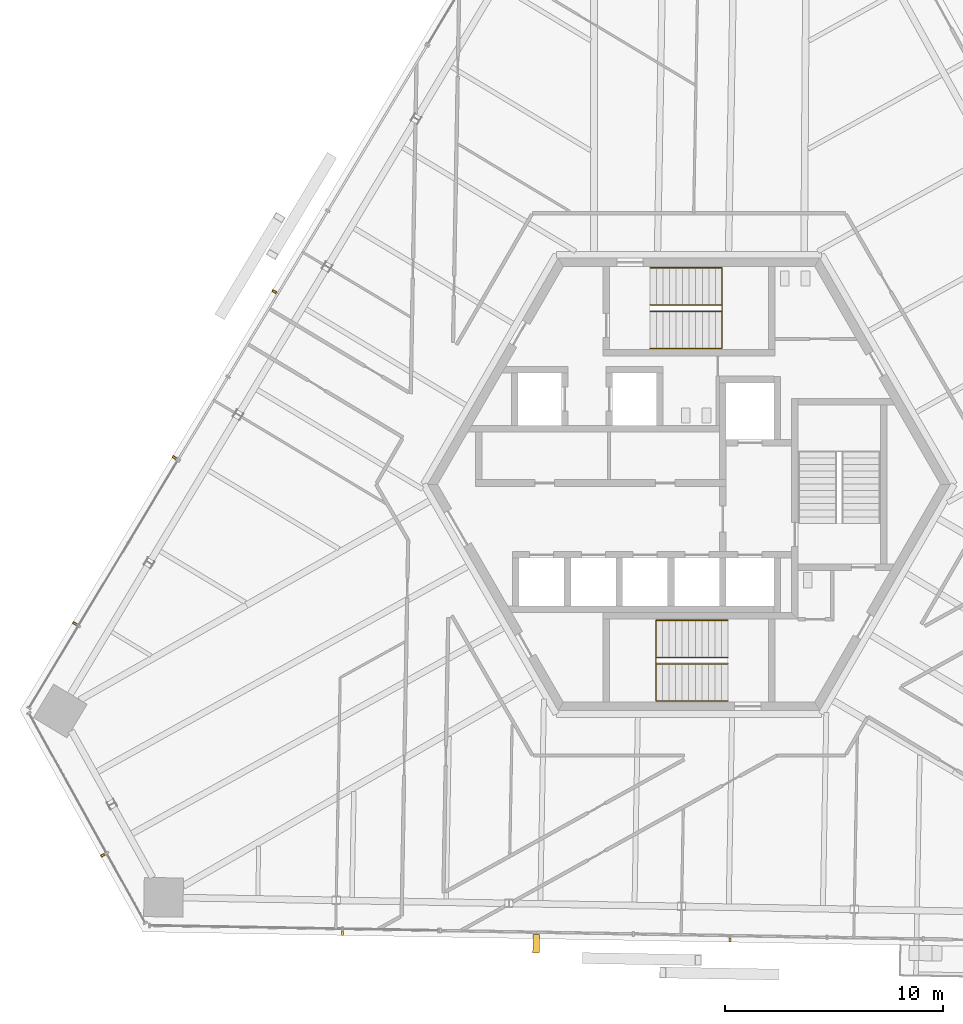
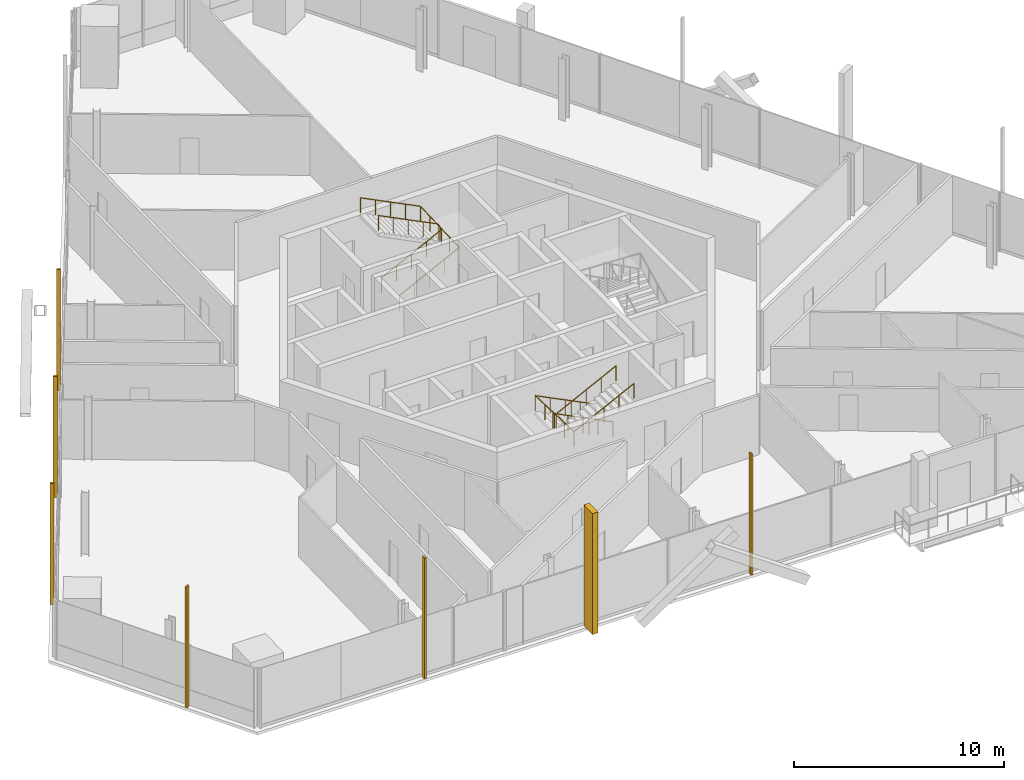
# One storey, part 15 of 20: 7 shading devices, 4 railings.
"""IFC4 building model written with IfcOpenShell, lengths in metres."""

from ifc_helpers import new_model, si_unit, direction, frame, origin, origin_2d, place, context, subcontext, project, spatial, rectangle, circle, extrude, source, transform, mapped, material, type_object, element, save


model = new_model("IFC4")

# Units and contexts
model_context = context("Model", 3, precision=1e-05, world=origin(), true_north=direction((0.0, 1.0)))
body_context = subcontext(model_context, "Body", "Model", "MODEL_VIEW")
ifc_project = project(units=[si_unit("LENGTHUNIT", "METRE"), si_unit("AREAUNIT", "SQUARE_METRE"), si_unit("VOLUMEUNIT", "CUBIC_METRE"), si_unit("PLANEANGLEUNIT", "RADIAN"), si_unit("MASSUNIT", "GRAM", prefix="KILO")], contexts=[model_context])

# Site, building, storey
site_placement = place(None, origin())
site = spatial("IfcSite", under=ifc_project, at=site_placement, CompositionType="ELEMENT")
building_placement = place(site_placement, origin())
building = spatial("IfcBuilding", under=site, at=building_placement, Name="Triune Harvest Tower", CompositionType="ELEMENT")
storey_placement = place(building_placement, frame((0.0, 0.0, 194.300048828125)))
storey = spatial("IfcBuildingStorey", under=building, at=storey_placement, Name="L50", CompositionType="ELEMENT", Elevation=194.300048828125)

# Railings
ifc_material_1 = material(Name="Stainless steel AISI 316", Category="steel")
railing_type = type_object("IfcRailingType", Name="Stair handrail", PredefinedType="HANDRAIL", material=ifc_material_1)
shared_shape_1 = source(origin(), body_context, "Body", "SweptSolid", [
    extrude(circle(Radius=0.02392578125, at=origin_2d()), frame((0.0, 0.0, 0.8759765625), z_axis=(0.894413956696, 0.0, 0.447240063129), x_axis=(0.0, 1.0, 0.0)), (0.0, 0.0, 1.0), 3.689697265625),
    extrude(circle(Radius=0.02392578125, at=origin_2d()), frame((3.300048828125, 0.0, 2.52587890625), z_axis=(0.0, 0.999180289278, 0.040481471304), x_axis=(-1.0, 0.0, 0.0)), (0.0, 0.0, 1.0), 3.702880859375),
    extrude(circle(Radius=0.02392578125, at=origin_2d()), frame((3.300048828125, 3.699951171875, 2.67578125), z_axis=(-0.894440424912, 0.0, 0.447187126696), x_axis=(0.0, -1.0, 0.0)), (0.0, 0.0, 1.0), 3.689453125),
    extrude(circle(Radius=0.02099609375, at=origin_2d()), origin(), (0.0, 0.0, 1.0), 0.851806640625),
    extrude(circle(Radius=0.02099609375, at=origin_2d()), frame((0.824951171875, 0.0, 0.41259765625)), (0.0, 0.0, 1.0), 0.851806640625),
    extrude(circle(Radius=0.02099609375, at=origin_2d()), frame((1.64990234375, 0.0, 0.8251953125)), (0.0, 0.0, 1.0), 0.851806640625),
    extrude(circle(Radius=0.02099609375, at=origin_2d()), frame((2.47509765625, 0.0, 1.237548828125)), (0.0, 0.0, 1.0), 0.851806640625),
    extrude(circle(Radius=0.02099609375, at=origin_2d()), frame((3.300048828125, 0.0, 1.650146484375)), (0.0, 0.0, 1.0), 0.851806640625),
    extrude(circle(Radius=0.02099609375, at=origin_2d()), frame((3.300048828125, 0.925048828125, 1.6875)), (0.0, 0.0, 1.0), 0.851806640625),
    extrude(circle(Radius=0.02099609375, at=origin_2d()), frame((3.300048828125, 1.85009765625, 1.72509765625)), (0.0, 0.0, 1.0), 0.851806640625),
    extrude(circle(Radius=0.02099609375, at=origin_2d()), frame((3.300048828125, 2.77490234375, 1.7626953125)), (0.0, 0.0, 1.0), 0.851806640625),
    extrude(circle(Radius=0.02099609375, at=origin_2d()), frame((3.300048828125, 3.699951171875, 1.800048828125)), (0.0, 0.0, 1.0), 0.851806640625),
    extrude(circle(Radius=0.02099609375, at=origin_2d()), frame((2.47509765625, 3.699951171875, 2.21240234375)), (0.0, 0.0, 1.0), 0.851806640625),
    extrude(circle(Radius=0.02099609375, at=origin_2d()), frame((1.64990234375, 3.699951171875, 2.625)), (0.0, 0.0, 1.0), 0.851806640625),
    extrude(circle(Radius=0.02099609375, at=origin_2d()), frame((0.824951171875, 3.699951171875, 3.03759765625)), (0.0, 0.0, 1.0), 0.851806640625),
    extrude(circle(Radius=0.02099609375, at=origin_2d()), frame((0.0, 3.699951171875, 3.449951171875)), (0.0, 0.0, 1.0), 0.851806640625),
])
railing_1_placement = place(storey_placement, frame((-1.7900390625, 6.239990234375, 0.14990234375)))
element("IfcRailing", 1, at=railing_1_placement, inside=storey, type_object=railing_type, Name="Exit stair north wall handrail", PredefinedType="HANDRAIL", context=body_context, shape_type="MappedRepresentation", body=[
    mapped(shared_shape_1, transform((0.0, 0.0, 0.0), scale=1.0)),
])
shared_shape_2 = source(origin(), body_context, "Body", "SweptSolid", [
    extrude(circle(Radius=0.02392578125, at=origin_2d()), frame((0.0, 0.0, 0.8759765625), z_axis=(0.894413956696, 0.0, 0.447240063129), x_axis=(0.0, 1.0, 0.0)), (0.0, 0.0, 1.0), 3.689697265625),
    extrude(circle(Radius=0.02392578125, at=origin_2d()), frame((3.300048828125, 0.0, 2.52587890625), z_axis=(0.0, 0.894572720946, 0.446922417137), x_axis=(-1.0, 0.0, 0.0)), (0.0, 0.0, 1.0), 0.33544921875),
    extrude(circle(Radius=0.02392578125, at=origin_2d()), frame((3.300048828125, 0.300048828125, 2.67578125), z_axis=(-0.894440424912, 0.0, 0.447187126696), x_axis=(0.0, -1.0, 0.0)), (0.0, 0.0, 1.0), 3.689453125),
    extrude(circle(Radius=0.02099609375, at=origin_2d()), origin(), (0.0, 0.0, 1.0), 0.851806640625),
    extrude(circle(Radius=0.02099609375, at=origin_2d()), frame((0.824951171875, 0.0, 0.41259765625)), (0.0, 0.0, 1.0), 0.851806640625),
    extrude(circle(Radius=0.02099609375, at=origin_2d()), frame((1.64990234375, 0.0, 0.8251953125)), (0.0, 0.0, 1.0), 0.851806640625),
    extrude(circle(Radius=0.02099609375, at=origin_2d()), frame((2.47509765625, 0.0, 1.237548828125)), (0.0, 0.0, 1.0), 0.851806640625),
    extrude(circle(Radius=0.02099609375, at=origin_2d()), frame((3.300048828125, 0.0, 1.650146484375)), (0.0, 0.0, 1.0), 0.851806640625),
    extrude(circle(Radius=0.02099609375, at=origin_2d()), frame((3.300048828125, 0.300048828125, 1.800048828125)), (0.0, 0.0, 1.0), 0.851806640625),
    extrude(circle(Radius=0.02099609375, at=origin_2d()), frame((2.47509765625, 0.300048828125, 2.21240234375)), (0.0, 0.0, 1.0), 0.851806640625),
    extrude(circle(Radius=0.02099609375, at=origin_2d()), frame((1.64990234375, 0.300048828125, 2.625)), (0.0, 0.0, 1.0), 0.851806640625),
    extrude(circle(Radius=0.02099609375, at=origin_2d()), frame((0.824951171875, 0.300048828125, 3.03759765625)), (0.0, 0.0, 1.0), 0.851806640625),
    extrude(circle(Radius=0.02099609375, at=origin_2d()), frame((0.0, 0.300048828125, 3.449951171875)), (0.0, 0.0, 1.0), 0.851806640625),
])
railing_2_placement = place(storey_placement, frame((-1.7900390625, 7.93994140625, 0.14990234375)))
element("IfcRailing", 2, at=railing_2_placement, inside=storey, type_object=railing_type, Name="Exit stair north centre handrail", PredefinedType="HANDRAIL", context=body_context, shape_type="MappedRepresentation", body=[
    mapped(shared_shape_2, transform((0.0, 0.0, 0.0), scale=1.0)),
])
shared_shape_3 = source(origin(), body_context, "Body", "SweptSolid", [
    extrude(circle(Radius=0.02392578125, at=origin_2d()), frame((0.0, 0.0, 0.8759765625), z_axis=(-0.894413956696, 0.0, 0.447240063129), x_axis=(0.0, -1.0, 0.0)), (0.0, 0.0, 1.0), 3.689697265625),
    extrude(circle(Radius=0.02392578125, at=origin_2d()), frame((-3.300048828125, 0.0, 2.52587890625), z_axis=(0.0, -0.999180289278, 0.040481471304), x_axis=(1.0, 0.0, 0.0)), (0.0, 0.0, 1.0), 3.702880859375),
    extrude(circle(Radius=0.02392578125, at=origin_2d()), frame((-3.300048828125, -3.699951171875, 2.67578125), z_axis=(0.894440424912, 0.0, 0.447187126696), x_axis=(0.0, 1.0, 0.0)), (0.0, 0.0, 1.0), 3.689453125),
    extrude(circle(Radius=0.02099609375, at=origin_2d()), origin(), (0.0, 0.0, 1.0), 0.851806640625),
    extrude(circle(Radius=0.02099609375, at=origin_2d()), frame((-0.824951171875, 0.0, 0.41259765625)), (0.0, 0.0, 1.0), 0.851806640625),
    extrude(circle(Radius=0.02099609375, at=origin_2d()), frame((-1.64990234375, 0.0, 0.8251953125)), (0.0, 0.0, 1.0), 0.851806640625),
    extrude(circle(Radius=0.02099609375, at=origin_2d()), frame((-2.47509765625, 0.0, 1.237548828125)), (0.0, 0.0, 1.0), 0.851806640625),
    extrude(circle(Radius=0.02099609375, at=origin_2d()), frame((-3.300048828125, 0.0, 1.650146484375)), (0.0, 0.0, 1.0), 0.851806640625),
    extrude(circle(Radius=0.02099609375, at=origin_2d()), frame((-3.300048828125, -0.925048828125, 1.6875)), (0.0, 0.0, 1.0), 0.851806640625),
    extrude(circle(Radius=0.02099609375, at=origin_2d()), frame((-3.300048828125, -1.85009765625, 1.72509765625)), (0.0, 0.0, 1.0), 0.851806640625),
    extrude(circle(Radius=0.02099609375, at=origin_2d()), frame((-3.300048828125, -2.77490234375, 1.7626953125)), (0.0, 0.0, 1.0), 0.851806640625),
    extrude(circle(Radius=0.02099609375, at=origin_2d()), frame((-3.300048828125, -3.699951171875, 1.800048828125)), (0.0, 0.0, 1.0), 0.851806640625),
    extrude(circle(Radius=0.02099609375, at=origin_2d()), frame((-2.47509765625, -3.699951171875, 2.21240234375)), (0.0, 0.0, 1.0), 0.851806640625),
    extrude(circle(Radius=0.02099609375, at=origin_2d()), frame((-1.64990234375, -3.699951171875, 2.625)), (0.0, 0.0, 1.0), 0.851806640625),
    extrude(circle(Radius=0.02099609375, at=origin_2d()), frame((-0.824951171875, -3.699951171875, 3.03759765625)), (0.0, 0.0, 1.0), 0.851806640625),
    extrude(circle(Radius=0.02099609375, at=origin_2d()), frame((0.0, -3.699951171875, 3.449951171875)), (0.0, 0.0, 1.0), 0.851806640625),
])
railing_3_placement = place(storey_placement, frame((1.7900390625, -6.239990234375, 0.14990234375)))
element("IfcRailing", 3, at=railing_3_placement, inside=storey, type_object=railing_type, Name="Exit stair south wall handrail", PredefinedType="HANDRAIL", context=body_context, shape_type="MappedRepresentation", body=[
    mapped(shared_shape_3, transform((0.0, 0.0, 0.0), scale=1.0)),
])
shared_shape_4 = source(origin(), body_context, "Body", "SweptSolid", [
    extrude(circle(Radius=0.02392578125, at=origin_2d()), frame((0.0, 0.0, 0.8759765625), z_axis=(-0.894413956696, 0.0, 0.447240063129), x_axis=(0.0, -1.0, 0.0)), (0.0, 0.0, 1.0), 3.689697265625),
    extrude(circle(Radius=0.02392578125, at=origin_2d()), frame((-3.300048828125, 0.0, 2.52587890625), z_axis=(0.0, -0.894572720946, 0.446922417137), x_axis=(1.0, 0.0, 0.0)), (0.0, 0.0, 1.0), 0.33544921875),
    extrude(circle(Radius=0.02392578125, at=origin_2d()), frame((-3.300048828125, -0.300048828125, 2.67578125), z_axis=(0.894440424912, 0.0, 0.447187126696), x_axis=(0.0, 1.0, 0.0)), (0.0, 0.0, 1.0), 3.689453125),
    extrude(circle(Radius=0.02099609375, at=origin_2d()), origin(), (0.0, 0.0, 1.0), 0.851806640625),
    extrude(circle(Radius=0.02099609375, at=origin_2d()), frame((-0.824951171875, 0.0, 0.41259765625)), (0.0, 0.0, 1.0), 0.851806640625),
    extrude(circle(Radius=0.02099609375, at=origin_2d()), frame((-1.64990234375, 0.0, 0.8251953125)), (0.0, 0.0, 1.0), 0.851806640625),
    extrude(circle(Radius=0.02099609375, at=origin_2d()), frame((-2.47509765625, 0.0, 1.237548828125)), (0.0, 0.0, 1.0), 0.851806640625),
    extrude(circle(Radius=0.02099609375, at=origin_2d()), frame((-3.300048828125, 0.0, 1.650146484375)), (0.0, 0.0, 1.0), 0.851806640625),
    extrude(circle(Radius=0.02099609375, at=origin_2d()), frame((-3.300048828125, -0.300048828125, 1.800048828125)), (0.0, 0.0, 1.0), 0.851806640625),
    extrude(circle(Radius=0.02099609375, at=origin_2d()), frame((-2.47509765625, -0.300048828125, 2.21240234375)), (0.0, 0.0, 1.0), 0.851806640625),
    extrude(circle(Radius=0.02099609375, at=origin_2d()), frame((-1.64990234375, -0.300048828125, 2.625)), (0.0, 0.0, 1.0), 0.851806640625),
    extrude(circle(Radius=0.02099609375, at=origin_2d()), frame((-0.824951171875, -0.300048828125, 3.03759765625)), (0.0, 0.0, 1.0), 0.851806640625),
    extrude(circle(Radius=0.02099609375, at=origin_2d()), frame((0.0, -0.300048828125, 3.449951171875)), (0.0, 0.0, 1.0), 0.851806640625),
])
railing_4_placement = place(storey_placement, frame((1.7900390625, -7.93994140625, 0.14990234375)))
element("IfcRailing", 4, at=railing_4_placement, inside=storey, type_object=railing_type, Name="Exit stair south centre handrail", PredefinedType="HANDRAIL", context=body_context, shape_type="MappedRepresentation", body=[
    mapped(shared_shape_4, transform((0.0, 0.0, 0.0), scale=1.0)),
])

# Shading devices
ifc_material_2 = material(Name="Aluminium bronze anodised", Category="aluminium")
shared_shape_5 = source(origin(), body_context, "Body", "SweptSolid", [
    extrude(rectangle(XDim=0.10009765625, YDim=0.199951171875, at=origin_2d()), origin(), (0.0, 0.0, 1.0), 7.0400390625),
])
for number, where, z_axis, x_axis, name in (
    (5, (-19.03955078125, 8.84765625, 0.0), (0.0, 0.0, 1.0), (-0.515036632219, -0.857168167557, 0.0), "FN-1 fin B5-F3.7 L50"),
    (6, (-23.617431640625, 1.228759765625, 0.0), (0.0, 0.0, 1.0), (-0.515036632219, -0.857168167557, 0.0), "FN-1 fin B5-F3.9 L50"),
    (7, (-28.1953125, -6.39013671875, 0.0), (0.0, 0.0, 1.0), (-0.515036632219, -0.857168167557, 0.0), "FN-1 fin B5-F3.11 L50"),
    (8, (-26.903076171875, -17.02783203125, 0.0), (0.0, 0.0, 1.0), (0.484801950362, -0.874623958582, 0.0), "FN-1 fin B5-F4.3 L50"),
    (9, (-15.90673828125, -20.6025390625, 0.0), (0.0, 0.0, 1.0), (0.999847708228, -0.017451657526, 0.0), "FN-1 fin B5-F5.3 L50"),
    (10, (1.88818359375, -20.913330078125, 0.0), (0.0, 0.0, 1.0), (0.999847708228, -0.017451657526, 0.0), "FN-1 fin B5-F5.7 L50"),
):
    element("IfcShadingDevice", number, at=place(storey_placement, frame(where, z_axis=z_axis, x_axis=x_axis)), inside=storey, material=ifc_material_2, Name=name, ObjectType="FIN", PredefinedType="USERDEFINED", context=body_context, shape_type="MappedRepresentation", body=[
        mapped(shared_shape_5, transform((0.0, 0.0, 0.0), scale=1.0)),
    ])
shared_shape_6 = source(origin(), body_context, "Body", "SweptSolid", [
    extrude(rectangle(XDim=0.300048828125, YDim=0.85009765625, at=origin_2d()), origin(), (0.0, 0.0, 1.0), 7.0400390625),
])
shading_device_placement = place(storey_placement, frame((-7.014892578125, -21.0830078125, 0.0), z_axis=(0.0, 0.0, 1.0), x_axis=(0.999847708228, -0.017451657526, 0.0)))
element("IfcShadingDevice", 11, at=shading_device_placement, inside=storey, material=ifc_material_2, Name="FN-2 fin B5-F5.5 L50", ObjectType="FIN", PredefinedType="USERDEFINED", context=body_context, shape_type="MappedRepresentation", body=[
    mapped(shared_shape_6, transform((0.0, 0.0, 0.0), scale=1.0)),
])

save(model, "model.ifc")
